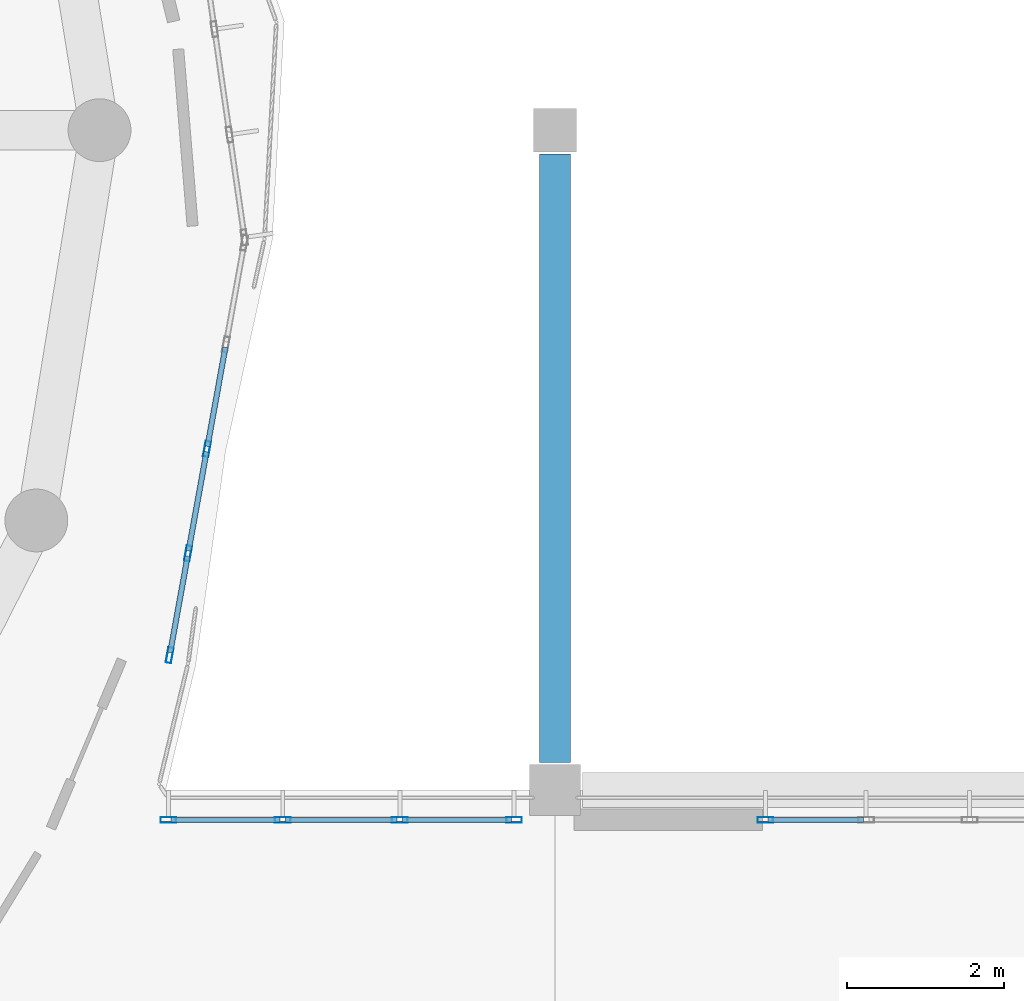
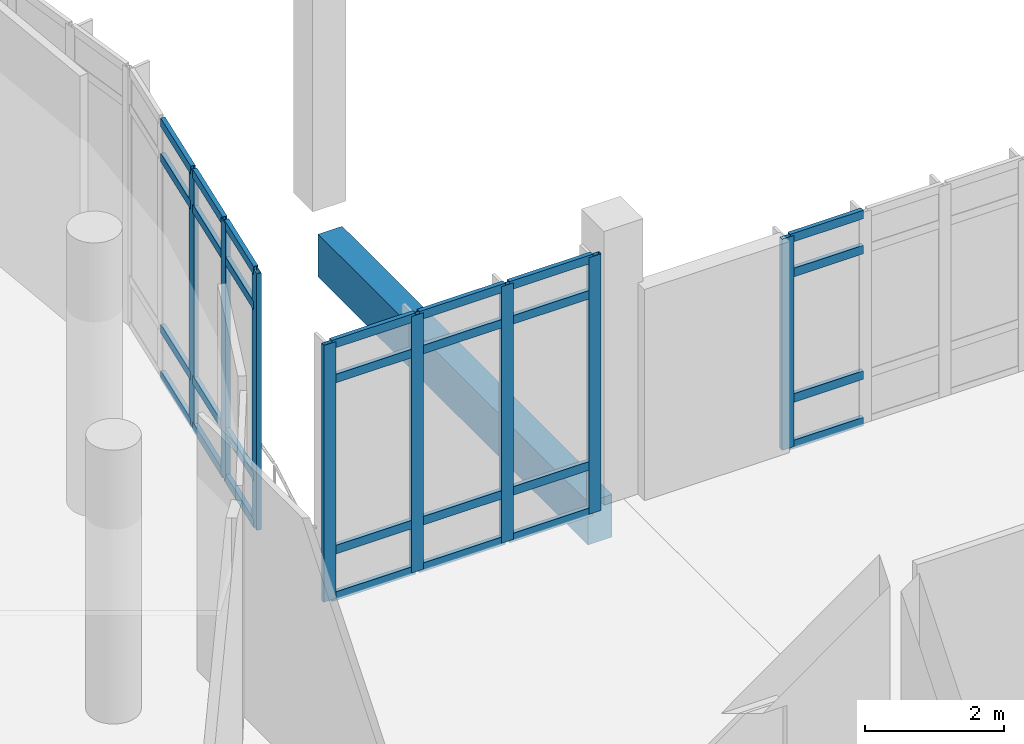
# One storey, part 6 of 63: 36 members, 1 beam, 3 elements without a shape of their own.
"""IFC4 building model written with IfcOpenShell, lengths in metres."""

from ifc_helpers import new_model, si_unit, derived_unit, direction, frame, origin, origin_2d, place, context, subcontext, project, spatial, rectangle, hollow_rectangle, extrude, material, layer, layer_set, material_profile, profile_set, type_object, element, aggregate, save


model = new_model("IFC4")

# Units and contexts
model_context = context("Model", 3, precision=1e-05, world=origin(), true_north=direction((0.0, 1.0)))
body_context = subcontext(model_context, "Body", "Model", "MODEL_VIEW")
ifc_project = project(units=[si_unit("LENGTHUNIT", "METRE"), si_unit("AREAUNIT", "SQUARE_METRE"), si_unit("VOLUMEUNIT", "CUBIC_METRE"), si_unit("PLANEANGLEUNIT", "RADIAN"), si_unit("MASSUNIT", "GRAM", prefix="KILO"), derived_unit("THERMALTRANSMITTANCEUNIT", [(si_unit("POWERUNIT", "WATT"), 1), (si_unit("LENGTHUNIT", "METRE"), -2), (si_unit("THERMODYNAMICTEMPERATUREUNIT", "KELVIN"), -1)])], contexts=[model_context])

# Site, building, storey
site_placement = place(None, origin())
site = spatial("IfcSite", under=ifc_project, at=site_placement, CompositionType="ELEMENT")
building_placement = place(site_placement, origin())
building = spatial("IfcBuilding", under=site, at=building_placement, Name="Elbkamm Science Centre", CompositionType="ELEMENT")
storey_placement = place(building_placement, frame((0.0, 0.0, 5.10009765625)))
storey = spatial("IfcBuildingStorey", under=building, at=storey_placement, Name="L01", CompositionType="ELEMENT", Elevation=5.10009765625)

# Beam
ifc_material_1 = material(Name="Concrete C40/50", Category="concrete")
ifc_material_profile_1 = material_profile(ifc_material_1, rectangle(XDim=0.39990234375, YDim=0.75, at=origin_2d()), Name="RC 400x750")
ifc_profile_set_1 = profile_set([ifc_material_profile_1], Name="Concrete C40/50")
beam_type = type_object("IfcBeamType", Name="BM-RC-400x750", PredefinedType="BEAM", material=ifc_profile_set_1)
beam_placement = place(storey_placement, frame((92.39990234375, 59.14990234375, -0.775146484375), z_axis=(0.0, 1.0, 0.0), x_axis=(-1.0, 0.0, 0.0)))
element("IfcBeam", 1, at=beam_placement, inside=storey, type_object=beam_type, Name="L01 Primary Y-Girder 028", PredefinedType="BEAM", context=body_context, shape_type="SweptSolid", body=[
    extrude(rectangle(XDim=0.39990234375, YDim=0.75, at=origin_2d()), origin(), (0.0, 0.0, 1.0), 7.75),
])

# Curtain wall, members
ifc_material_2 = material(Name="Powder-coated aluminium and triple low-E glazing", Category="aluminium")
ifc_layer_1 = layer(ifc_material_2, 0.159912109375)
ifc_layer_set_1 = layer_set([ifc_layer_1], Name="Powder-coated aluminium and triple low-E glazing")
curtain_wall_type_1 = type_object("IfcCurtainWallType", Name="CW-UNIT-5400x4500", PredefinedType="USERDEFINED", material=ifc_layer_set_1)
curtain_wall_1_placement = place(storey_placement, origin())
curtain_wall_1 = element("IfcCurtainWall", 2, at=curtain_wall_1_placement, inside=storey, type_object=curtain_wall_type_1, Name="L01 Unitised Curtain Wall 015", ObjectType="UNITISED CURTAIN WALL", PredefinedType="USERDEFINED")
ifc_material_3 = material(Name="Powder-coated aluminium EN AW-6060", Category="aluminium")
ifc_material_profile_2 = material_profile(ifc_material_3, hollow_rectangle(XDim=0.070068359375, YDim=0.199951171875, WallThickness=0.00439453125, at=origin_2d()), Name="ALU M70x200")
ifc_profile_set_2 = profile_set([ifc_material_profile_2], Name="Powder-coated aluminium EN AW-6060")
member_type_1 = type_object("IfcMemberType", Name="CW-MUL-70x200", PredefinedType="MULLION", material=ifc_profile_set_2)
member_1_placement = place(storey_placement, frame((87.494140625, 60.51513671875, 0.0), z_axis=(0.0, 0.0, 1.0), x_axis=(-0.984029942845, 0.178003010042, 0.0)))
member_1 = element("IfcMember", 3, at=member_1_placement, type_object=member_type_1, Name="CW-009 mullion 1", PredefinedType="MULLION", context=body_context, shape_type="SweptSolid", body=[
    extrude(hollow_rectangle(XDim=0.070068359375, YDim=0.199951171875, WallThickness=0.00439453125, at=origin_2d()), origin(), (0.0, 0.0, 1.0), 4.5),
])
member_2_placement = place(storey_placement, frame((87.728271484375, 61.810546875, 0.0), z_axis=(0.0, 0.0, 1.0), x_axis=(-0.984029942845, 0.178003010042, 0.0)))
member_2 = element("IfcMember", 4, at=member_2_placement, type_object=member_type_1, Name="CW-009 mullion 2", PredefinedType="MULLION", context=body_context, shape_type="SweptSolid", body=[
    extrude(hollow_rectangle(XDim=0.070068359375, YDim=0.199951171875, WallThickness=0.00439453125, at=origin_2d()), origin(), (0.0, 0.0, 1.0), 4.5),
])
member_3_placement = place(storey_placement, frame((87.968994140625, 63.140380859375, 0.0), z_axis=(0.0, 0.0, 1.0), x_axis=(-0.984029942845, 0.178003010042, 0.0)))
member_3 = element("IfcMember", 5, at=member_3_placement, type_object=member_type_1, Name="CW-009 mullion 3", PredefinedType="MULLION", context=body_context, shape_type="SweptSolid", body=[
    extrude(hollow_rectangle(XDim=0.070068359375, YDim=0.199951171875, WallThickness=0.00439453125, at=origin_2d()), origin(), (0.0, 0.0, 1.0), 4.5),
])

ifc_layer_2 = layer(ifc_material_2, 0.159912109375)
ifc_layer_set_2 = layer_set([ifc_layer_2], Name="Powder-coated aluminium and triple low-E glazing")
curtain_wall_type_2 = type_object("IfcCurtainWallType", Name="CW-UNIT-4480x4500", PredefinedType="USERDEFINED", material=ifc_layer_set_2)
curtain_wall_2_placement = place(storey_placement, origin())
curtain_wall_2 = element("IfcCurtainWall", 6, at=curtain_wall_2_placement, inside=storey, type_object=curtain_wall_type_2, Name="L01 Unitised Curtain Wall 147", ObjectType="UNITISED CURTAIN WALL", PredefinedType="USERDEFINED")
member_4_placement = place(storey_placement, frame((87.4775390625, 58.419921875, 0.0), z_axis=(0.0, 0.0, 1.0), x_axis=(0.0, 1.0, 0.0)))
member_4 = element("IfcMember", 7, at=member_4_placement, type_object=member_type_1, Name="CW-069 mullion 1", PredefinedType="MULLION", context=body_context, shape_type="SweptSolid", body=[
    extrude(hollow_rectangle(XDim=0.070068359375, YDim=0.199951171875, WallThickness=0.00439453125, at=origin_2d()), origin(), (0.0, 0.0, 1.0), 4.5),
])
member_5_placement = place(storey_placement, frame((88.932861328125, 58.419921875, 0.0), z_axis=(0.0, 0.0, 1.0), x_axis=(0.0, 1.0, 0.0)))
member_5 = element("IfcMember", 8, at=member_5_placement, type_object=member_type_1, Name="CW-069 mullion 2", PredefinedType="MULLION", context=body_context, shape_type="SweptSolid", body=[
    extrude(hollow_rectangle(XDim=0.070068359375, YDim=0.199951171875, WallThickness=0.00439453125, at=origin_2d()), origin(), (0.0, 0.0, 1.0), 4.5),
])
member_6_placement = place(storey_placement, frame((90.42333984375, 58.419921875, 0.0), z_axis=(0.0, 0.0, 1.0), x_axis=(0.0, 1.0, 0.0)))
member_6 = element("IfcMember", 9, at=member_6_placement, type_object=member_type_1, Name="CW-069 mullion 3", PredefinedType="MULLION", context=body_context, shape_type="SweptSolid", body=[
    extrude(hollow_rectangle(XDim=0.070068359375, YDim=0.199951171875, WallThickness=0.00439453125, at=origin_2d()), origin(), (0.0, 0.0, 1.0), 4.5),
])
member_7_placement = place(storey_placement, frame((91.878662109375, 58.419921875, 0.0), z_axis=(0.0, 0.0, 1.0), x_axis=(0.0, 1.0, 0.0)))
member_7 = element("IfcMember", 10, at=member_7_placement, type_object=member_type_1, Name="CW-069 mullion 4", PredefinedType="MULLION", context=body_context, shape_type="SweptSolid", body=[
    extrude(hollow_rectangle(XDim=0.070068359375, YDim=0.199951171875, WallThickness=0.00439453125, at=origin_2d()), origin(), (0.0, 0.0, 1.0), 4.5),
])

# Curtain wall, member
ifc_layer_3 = layer(ifc_material_2, 0.159912109375)
ifc_layer_set_3 = layer_set([ifc_layer_3], Name="Powder-coated aluminium and triple low-E glazing")
curtain_wall_type_3 = type_object("IfcCurtainWallType", Name="CW-UNIT-5260x3700", PredefinedType="USERDEFINED", material=ifc_layer_set_3)
curtain_wall_3_placement = place(storey_placement, origin())
curtain_wall_3 = element("IfcCurtainWall", 11, at=curtain_wall_3_placement, inside=storey, type_object=curtain_wall_type_3, Name="L01 Unitised Curtain Wall 148", ObjectType="UNITISED CURTAIN WALL", PredefinedType="USERDEFINED")
member_8_placement = place(storey_placement, frame((95.0791015625, 58.419921875, 0.0), z_axis=(0.0, 0.0, 1.0), x_axis=(0.0, 1.0, 0.0)))
member_8 = element("IfcMember", 12, at=member_8_placement, type_object=member_type_1, Name="CW-070 mullion 1", PredefinedType="MULLION", context=body_context, shape_type="SweptSolid", body=[
    extrude(hollow_rectangle(XDim=0.070068359375, YDim=0.199951171875, WallThickness=0.00439453125, at=origin_2d()), origin(), (0.0, 0.0, 1.0), 3.699951171875),
])

# Member
ifc_material_profile_3 = material_profile(ifc_material_3, hollow_rectangle(XDim=0.070068359375, YDim=0.14990234375, WallThickness=0.00390625, at=origin_2d()), Name="ALU T70x150")
ifc_profile_set_3 = profile_set([ifc_material_profile_3], Name="Powder-coated aluminium EN AW-6060")
member_type_2 = type_object("IfcMemberType", Name="CW-TRN-70x150", PredefinedType="USERDEFINED", material=ifc_profile_set_3)
member_9_placement = place(storey_placement, frame((87.500244140625, 60.549560546875, 0.034912109375), z_axis=(0.17804080469, 0.984023105351, 0.0), x_axis=(-0.984023105351, 0.17804080469, 0.0)))
member_9 = element("IfcMember", 13, at=member_9_placement, type_object=member_type_2, Name="CW-009 transom 1.1", ObjectType="TRANSOM", PredefinedType="USERDEFINED", context=body_context, shape_type="SweptSolid", body=[
    extrude(hollow_rectangle(XDim=0.070068359375, YDim=0.14990234375, WallThickness=0.00390625, at=origin_2d()), origin(), (0.0, 0.0, 1.0), 1.24658203125),
])

member_10_placement = place(storey_placement, frame((87.500244140625, 60.549560546875, 0.849853515625), z_axis=(0.17804080469, 0.984023105351, 0.0), x_axis=(-0.984023105351, 0.17804080469, 0.0)))
member_10 = element("IfcMember", 14, at=member_10_placement, type_object=member_type_2, Name="CW-009 transom 1.2", ObjectType="TRANSOM", PredefinedType="USERDEFINED", context=body_context, shape_type="SweptSolid", body=[
    extrude(hollow_rectangle(XDim=0.070068359375, YDim=0.14990234375, WallThickness=0.00390625, at=origin_2d()), origin(), (0.0, 0.0, 1.0), 1.24658203125),
])

member_11_placement = place(storey_placement, frame((87.500244140625, 60.549560546875, 3.849853515625), z_axis=(0.17804080469, 0.984023105351, 0.0), x_axis=(-0.984023105351, 0.17804080469, 0.0)))
member_11 = element("IfcMember", 15, at=member_11_placement, type_object=member_type_2, Name="CW-009 transom 1.3", ObjectType="TRANSOM", PredefinedType="USERDEFINED", context=body_context, shape_type="SweptSolid", body=[
    extrude(hollow_rectangle(XDim=0.070068359375, YDim=0.14990234375, WallThickness=0.00390625, at=origin_2d()), origin(), (0.0, 0.0, 1.0), 1.24658203125),
])

member_12_placement = place(storey_placement, frame((87.500244140625, 60.549560546875, 4.46484375), z_axis=(0.17804080469, 0.984023105351, 0.0), x_axis=(-0.984023105351, 0.17804080469, 0.0)))
member_12 = element("IfcMember", 16, at=member_12_placement, type_object=member_type_2, Name="CW-009 transom 1.4", ObjectType="TRANSOM", PredefinedType="USERDEFINED", context=body_context, shape_type="SweptSolid", body=[
    extrude(hollow_rectangle(XDim=0.070068359375, YDim=0.14990234375, WallThickness=0.00390625, at=origin_2d()), origin(), (0.0, 0.0, 1.0), 1.24658203125),
])

member_13_placement = place(storey_placement, frame((87.734619140625, 61.844970703125, 0.034912109375), z_axis=(0.177946470021, 0.984040168798, 0.0), x_axis=(-0.984040168798, 0.177946470021, 0.0)))
member_13 = element("IfcMember", 17, at=member_13_placement, type_object=member_type_2, Name="CW-009 transom 2.1", ObjectType="TRANSOM", PredefinedType="USERDEFINED", context=body_context, shape_type="SweptSolid", body=[
    extrude(hollow_rectangle(XDim=0.070068359375, YDim=0.14990234375, WallThickness=0.00390625, at=origin_2d()), origin(), (0.0, 0.0, 1.0), 1.281494140625),
])

member_14_placement = place(storey_placement, frame((87.734619140625, 61.844970703125, 0.849853515625), z_axis=(0.177946470021, 0.984040168798, 0.0), x_axis=(-0.984040168798, 0.177946470021, 0.0)))
member_14 = element("IfcMember", 18, at=member_14_placement, type_object=member_type_2, Name="CW-009 transom 2.2", ObjectType="TRANSOM", PredefinedType="USERDEFINED", context=body_context, shape_type="SweptSolid", body=[
    extrude(hollow_rectangle(XDim=0.070068359375, YDim=0.14990234375, WallThickness=0.00390625, at=origin_2d()), origin(), (0.0, 0.0, 1.0), 1.281494140625),
])

member_15_placement = place(storey_placement, frame((87.734619140625, 61.844970703125, 3.849853515625), z_axis=(0.177946470021, 0.984040168798, 0.0), x_axis=(-0.984040168798, 0.177946470021, 0.0)))
member_15 = element("IfcMember", 19, at=member_15_placement, type_object=member_type_2, Name="CW-009 transom 2.3", ObjectType="TRANSOM", PredefinedType="USERDEFINED", context=body_context, shape_type="SweptSolid", body=[
    extrude(hollow_rectangle(XDim=0.070068359375, YDim=0.14990234375, WallThickness=0.00390625, at=origin_2d()), origin(), (0.0, 0.0, 1.0), 1.281494140625),
])

member_16_placement = place(storey_placement, frame((87.734619140625, 61.844970703125, 4.46484375), z_axis=(0.177946470021, 0.984040168798, 0.0), x_axis=(-0.984040168798, 0.177946470021, 0.0)))
member_16 = element("IfcMember", 20, at=member_16_placement, type_object=member_type_2, Name="CW-009 transom 2.4", ObjectType="TRANSOM", PredefinedType="USERDEFINED", context=body_context, shape_type="SweptSolid", body=[
    extrude(hollow_rectangle(XDim=0.070068359375, YDim=0.14990234375, WallThickness=0.00390625, at=origin_2d()), origin(), (0.0, 0.0, 1.0), 1.281494140625),
])

member_17_placement = place(storey_placement, frame((87.97509765625, 63.1748046875, 0.034912109375), z_axis=(0.177946470021, 0.984040168798, 0.0), x_axis=(-0.984040168798, 0.177946470021, 0.0)))
member_17 = element("IfcMember", 21, at=member_17_placement, type_object=member_type_2, Name="CW-009 transom 3.1", ObjectType="TRANSOM", PredefinedType="USERDEFINED", context=body_context, shape_type="SweptSolid", body=[
    extrude(hollow_rectangle(XDim=0.070068359375, YDim=0.14990234375, WallThickness=0.00390625, at=origin_2d()), origin(), (0.0, 0.0, 1.0), 1.281494140625),
])

member_18_placement = place(storey_placement, frame((87.97509765625, 63.1748046875, 0.849853515625), z_axis=(0.177946470021, 0.984040168798, 0.0), x_axis=(-0.984040168798, 0.177946470021, 0.0)))
member_18 = element("IfcMember", 22, at=member_18_placement, type_object=member_type_2, Name="CW-009 transom 3.2", ObjectType="TRANSOM", PredefinedType="USERDEFINED", context=body_context, shape_type="SweptSolid", body=[
    extrude(hollow_rectangle(XDim=0.070068359375, YDim=0.14990234375, WallThickness=0.00390625, at=origin_2d()), origin(), (0.0, 0.0, 1.0), 1.281494140625),
])

member_19_placement = place(storey_placement, frame((87.97509765625, 63.1748046875, 3.849853515625), z_axis=(0.177946470021, 0.984040168798, 0.0), x_axis=(-0.984040168798, 0.177946470021, 0.0)))
member_19 = element("IfcMember", 23, at=member_19_placement, type_object=member_type_2, Name="CW-009 transom 3.3", ObjectType="TRANSOM", PredefinedType="USERDEFINED", context=body_context, shape_type="SweptSolid", body=[
    extrude(hollow_rectangle(XDim=0.070068359375, YDim=0.14990234375, WallThickness=0.00390625, at=origin_2d()), origin(), (0.0, 0.0, 1.0), 1.281494140625),
])

member_20_placement = place(storey_placement, frame((87.97509765625, 63.1748046875, 4.46484375), z_axis=(0.177946470021, 0.984040168798, 0.0), x_axis=(-0.984040168798, 0.177946470021, 0.0)))
member_20 = element("IfcMember", 24, at=member_20_placement, type_object=member_type_2, Name="CW-009 transom 3.4", ObjectType="TRANSOM", PredefinedType="USERDEFINED", context=body_context, shape_type="SweptSolid", body=[
    extrude(hollow_rectangle(XDim=0.070068359375, YDim=0.14990234375, WallThickness=0.00390625, at=origin_2d()), origin(), (0.0, 0.0, 1.0), 1.281494140625),
])

aggregate(curtain_wall_1, [member_1, member_2, member_3, member_9, member_10, member_11, member_12, member_13, member_14, member_15, member_16, member_17, member_18, member_19, member_20])

member_21_placement = place(storey_placement, frame((87.5126953125, 58.419921875, 0.034912109375), z_axis=(1.0, 0.0, 0.0), x_axis=(0.0, 1.0, 0.0)))
member_21 = element("IfcMember", 25, at=member_21_placement, type_object=member_type_2, Name="CW-069 transom 1.1", ObjectType="TRANSOM", PredefinedType="USERDEFINED", context=body_context, shape_type="SweptSolid", body=[
    extrude(hollow_rectangle(XDim=0.070068359375, YDim=0.14990234375, WallThickness=0.00390625, at=origin_2d()), origin(), (0.0, 0.0, 1.0), 1.38525390625),
])

member_22_placement = place(storey_placement, frame((87.5126953125, 58.419921875, 0.849853515625), z_axis=(1.0, 0.0, 0.0), x_axis=(0.0, 1.0, 0.0)))
member_22 = element("IfcMember", 26, at=member_22_placement, type_object=member_type_2, Name="CW-069 transom 1.2", ObjectType="TRANSOM", PredefinedType="USERDEFINED", context=body_context, shape_type="SweptSolid", body=[
    extrude(hollow_rectangle(XDim=0.070068359375, YDim=0.14990234375, WallThickness=0.00390625, at=origin_2d()), origin(), (0.0, 0.0, 1.0), 1.38525390625),
])

member_23_placement = place(storey_placement, frame((87.5126953125, 58.419921875, 3.849853515625), z_axis=(1.0, 0.0, 0.0), x_axis=(0.0, 1.0, 0.0)))
member_23 = element("IfcMember", 27, at=member_23_placement, type_object=member_type_2, Name="CW-069 transom 1.3", ObjectType="TRANSOM", PredefinedType="USERDEFINED", context=body_context, shape_type="SweptSolid", body=[
    extrude(hollow_rectangle(XDim=0.070068359375, YDim=0.14990234375, WallThickness=0.00390625, at=origin_2d()), origin(), (0.0, 0.0, 1.0), 1.38525390625),
])

member_24_placement = place(storey_placement, frame((87.5126953125, 58.419921875, 4.46484375), z_axis=(1.0, 0.0, 0.0), x_axis=(0.0, 1.0, 0.0)))
member_24 = element("IfcMember", 28, at=member_24_placement, type_object=member_type_2, Name="CW-069 transom 1.4", ObjectType="TRANSOM", PredefinedType="USERDEFINED", context=body_context, shape_type="SweptSolid", body=[
    extrude(hollow_rectangle(XDim=0.070068359375, YDim=0.14990234375, WallThickness=0.00390625, at=origin_2d()), origin(), (0.0, 0.0, 1.0), 1.38525390625),
])

member_25_placement = place(storey_placement, frame((88.968017578125, 58.419921875, 0.034912109375), z_axis=(1.0, 0.0, 0.0), x_axis=(0.0, 1.0, 0.0)))
member_25 = element("IfcMember", 29, at=member_25_placement, type_object=member_type_2, Name="CW-069 transom 2.1", ObjectType="TRANSOM", PredefinedType="USERDEFINED", context=body_context, shape_type="SweptSolid", body=[
    extrude(hollow_rectangle(XDim=0.070068359375, YDim=0.14990234375, WallThickness=0.00390625, at=origin_2d()), origin(), (0.0, 0.0, 1.0), 1.42041015625),
])

member_26_placement = place(storey_placement, frame((88.968017578125, 58.419921875, 0.849853515625), z_axis=(1.0, 0.0, 0.0), x_axis=(0.0, 1.0, 0.0)))
member_26 = element("IfcMember", 30, at=member_26_placement, type_object=member_type_2, Name="CW-069 transom 2.2", ObjectType="TRANSOM", PredefinedType="USERDEFINED", context=body_context, shape_type="SweptSolid", body=[
    extrude(hollow_rectangle(XDim=0.070068359375, YDim=0.14990234375, WallThickness=0.00390625, at=origin_2d()), origin(), (0.0, 0.0, 1.0), 1.42041015625),
])

member_27_placement = place(storey_placement, frame((88.968017578125, 58.419921875, 3.849853515625), z_axis=(1.0, 0.0, 0.0), x_axis=(0.0, 1.0, 0.0)))
member_27 = element("IfcMember", 31, at=member_27_placement, type_object=member_type_2, Name="CW-069 transom 2.3", ObjectType="TRANSOM", PredefinedType="USERDEFINED", context=body_context, shape_type="SweptSolid", body=[
    extrude(hollow_rectangle(XDim=0.070068359375, YDim=0.14990234375, WallThickness=0.00390625, at=origin_2d()), origin(), (0.0, 0.0, 1.0), 1.42041015625),
])

member_28_placement = place(storey_placement, frame((88.968017578125, 58.419921875, 4.46484375), z_axis=(1.0, 0.0, 0.0), x_axis=(0.0, 1.0, 0.0)))
member_28 = element("IfcMember", 32, at=member_28_placement, type_object=member_type_2, Name="CW-069 transom 2.4", ObjectType="TRANSOM", PredefinedType="USERDEFINED", context=body_context, shape_type="SweptSolid", body=[
    extrude(hollow_rectangle(XDim=0.070068359375, YDim=0.14990234375, WallThickness=0.00390625, at=origin_2d()), origin(), (0.0, 0.0, 1.0), 1.42041015625),
])

member_29_placement = place(storey_placement, frame((90.458251953125, 58.419921875, 0.034912109375), z_axis=(1.0, 0.0, 0.0), x_axis=(0.0, 1.0, 0.0)))
member_29 = element("IfcMember", 33, at=member_29_placement, type_object=member_type_2, Name="CW-069 transom 3.1", ObjectType="TRANSOM", PredefinedType="USERDEFINED", context=body_context, shape_type="SweptSolid", body=[
    extrude(hollow_rectangle(XDim=0.070068359375, YDim=0.14990234375, WallThickness=0.00390625, at=origin_2d()), origin(), (0.0, 0.0, 1.0), 1.385498046875),
])

member_30_placement = place(storey_placement, frame((90.458251953125, 58.419921875, 0.849853515625), z_axis=(1.0, 0.0, 0.0), x_axis=(0.0, 1.0, 0.0)))
member_30 = element("IfcMember", 34, at=member_30_placement, type_object=member_type_2, Name="CW-069 transom 3.2", ObjectType="TRANSOM", PredefinedType="USERDEFINED", context=body_context, shape_type="SweptSolid", body=[
    extrude(hollow_rectangle(XDim=0.070068359375, YDim=0.14990234375, WallThickness=0.00390625, at=origin_2d()), origin(), (0.0, 0.0, 1.0), 1.385498046875),
])

member_31_placement = place(storey_placement, frame((90.458251953125, 58.419921875, 3.849853515625), z_axis=(1.0, 0.0, 0.0), x_axis=(0.0, 1.0, 0.0)))
member_31 = element("IfcMember", 35, at=member_31_placement, type_object=member_type_2, Name="CW-069 transom 3.3", ObjectType="TRANSOM", PredefinedType="USERDEFINED", context=body_context, shape_type="SweptSolid", body=[
    extrude(hollow_rectangle(XDim=0.070068359375, YDim=0.14990234375, WallThickness=0.00390625, at=origin_2d()), origin(), (0.0, 0.0, 1.0), 1.385498046875),
])

member_32_placement = place(storey_placement, frame((90.458251953125, 58.419921875, 4.46484375), z_axis=(1.0, 0.0, 0.0), x_axis=(0.0, 1.0, 0.0)))
member_32 = element("IfcMember", 36, at=member_32_placement, type_object=member_type_2, Name="CW-069 transom 3.4", ObjectType="TRANSOM", PredefinedType="USERDEFINED", context=body_context, shape_type="SweptSolid", body=[
    extrude(hollow_rectangle(XDim=0.070068359375, YDim=0.14990234375, WallThickness=0.00390625, at=origin_2d()), origin(), (0.0, 0.0, 1.0), 1.385498046875),
])

aggregate(curtain_wall_2, [member_4, member_5, member_6, member_7, member_21, member_22, member_23, member_24, member_25, member_26, member_27, member_28, member_29, member_30, member_31, member_32])

member_33_placement = place(storey_placement, frame((95.114013671875, 58.419921875, 0.034912109375), z_axis=(1.0, 0.0, 0.0), x_axis=(0.0, 1.0, 0.0)))
member_33 = element("IfcMember", 37, at=member_33_placement, type_object=member_type_2, Name="CW-070 transom 1.1", ObjectType="TRANSOM", PredefinedType="USERDEFINED", context=body_context, shape_type="SweptSolid", body=[
    extrude(hollow_rectangle(XDim=0.070068359375, YDim=0.14990234375, WallThickness=0.00390625, at=origin_2d()), origin(), (0.0, 0.0, 1.0), 1.21240234375),
])

member_34_placement = place(storey_placement, frame((95.114013671875, 58.419921875, 0.849853515625), z_axis=(1.0, 0.0, 0.0), x_axis=(0.0, 1.0, 0.0)))
member_34 = element("IfcMember", 38, at=member_34_placement, type_object=member_type_2, Name="CW-070 transom 1.2", ObjectType="TRANSOM", PredefinedType="USERDEFINED", context=body_context, shape_type="SweptSolid", body=[
    extrude(hollow_rectangle(XDim=0.070068359375, YDim=0.14990234375, WallThickness=0.00390625, at=origin_2d()), origin(), (0.0, 0.0, 1.0), 1.21240234375),
])

member_35_placement = place(storey_placement, frame((95.114013671875, 58.419921875, 3.0498046875), z_axis=(1.0, 0.0, 0.0), x_axis=(0.0, 1.0, 0.0)))
member_35 = element("IfcMember", 39, at=member_35_placement, type_object=member_type_2, Name="CW-070 transom 1.3", ObjectType="TRANSOM", PredefinedType="USERDEFINED", context=body_context, shape_type="SweptSolid", body=[
    extrude(hollow_rectangle(XDim=0.070068359375, YDim=0.14990234375, WallThickness=0.00390625, at=origin_2d()), origin(), (0.0, 0.0, 1.0), 1.21240234375),
])

member_36_placement = place(storey_placement, frame((95.114013671875, 58.419921875, 3.664794921875), z_axis=(1.0, 0.0, 0.0), x_axis=(0.0, 1.0, 0.0)))
member_36 = element("IfcMember", 40, at=member_36_placement, type_object=member_type_2, Name="CW-070 transom 1.4", ObjectType="TRANSOM", PredefinedType="USERDEFINED", context=body_context, shape_type="SweptSolid", body=[
    extrude(hollow_rectangle(XDim=0.070068359375, YDim=0.14990234375, WallThickness=0.00390625, at=origin_2d()), origin(), (0.0, 0.0, 1.0), 1.21240234375),
])

aggregate(curtain_wall_3, [member_8, member_33, member_34, member_35, member_36])

save(model, "model.ifc")
